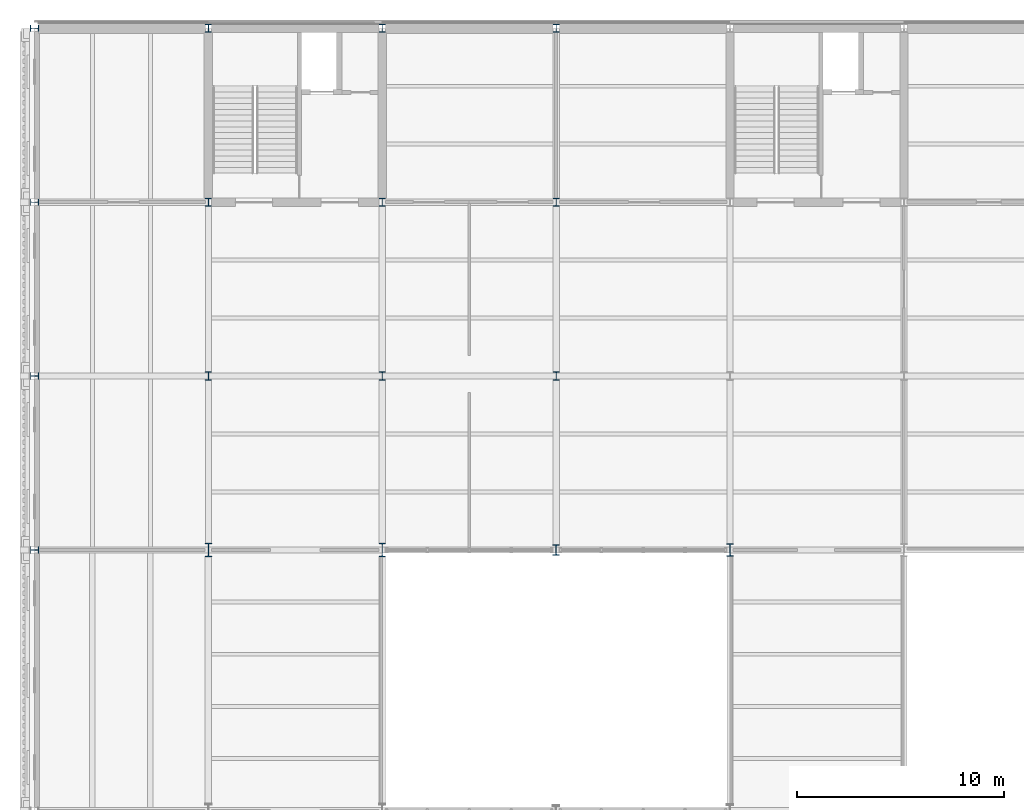
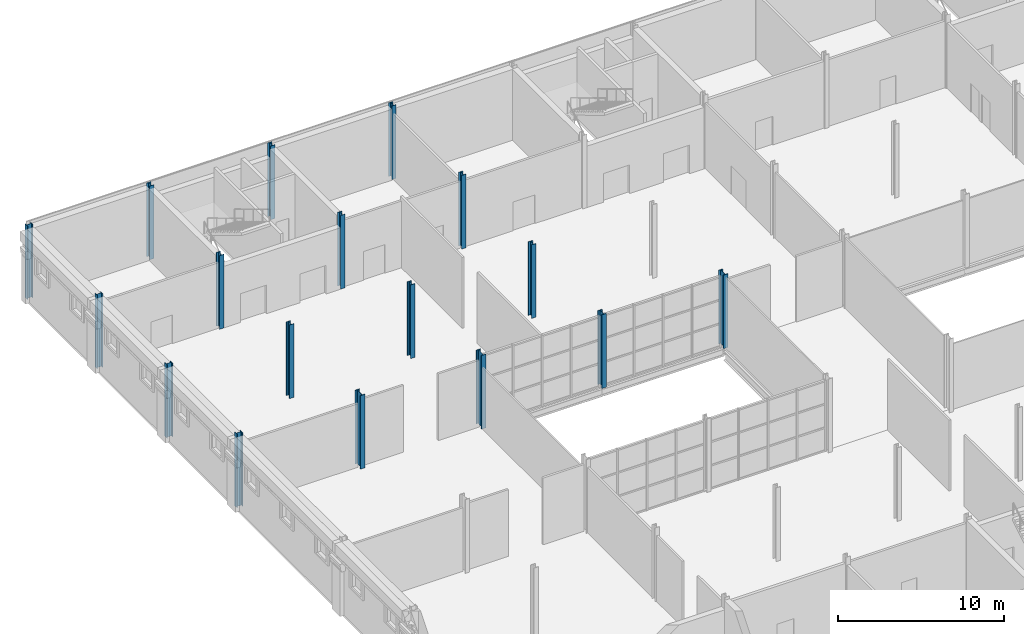
# One storey, part 3 of 57: 17 columns.
"""IFC4 building model written with IfcOpenShell, lengths in metres."""

from ifc_helpers import new_model, si_unit, direction, frame, origin, origin_2d, place, context, subcontext, project, spatial, i_section, extrude, material, material_profile, profile_set, type_object, element, save


model = new_model("IFC4")

# Units and contexts
model_context = context("Model", 3, precision=1e-05, world=origin(), true_north=direction((0.0, 1.0)))
body_context = subcontext(model_context, "Body", "Model", "MODEL_VIEW")
ifc_project = project(units=[si_unit("LENGTHUNIT", "METRE"), si_unit("AREAUNIT", "SQUARE_METRE"), si_unit("VOLUMEUNIT", "CUBIC_METRE"), si_unit("PLANEANGLEUNIT", "RADIAN"), si_unit("MASSUNIT", "GRAM", prefix="KILO")], contexts=[model_context])

# Site, building, storey
site_placement = place(None, origin())
site = spatial("IfcSite", under=ifc_project, at=site_placement, CompositionType="ELEMENT")
building_placement = place(site_placement, origin())
building = spatial("IfcBuilding", under=site, at=building_placement, Name="Galleria Vessillo Department Store", CompositionType="ELEMENT")
storey_placement = place(building_placement, frame((0.0, 0.0, 25.800048828125)))
storey = spatial("IfcBuildingStorey", under=building, at=storey_placement, Name="L05", CompositionType="ELEMENT", Elevation=25.800048828125)

# Columns
ifc_material_1 = material(Name="Steel S355 J2", Category="steel")
ifc_material_profile_1 = material_profile(ifc_material_1, i_section(OverallWidth=0.300048828125, OverallDepth=0.39990234375, WebThickness=0.013427734375, FlangeThickness=0.02392578125, FilletRadius=0.027099609375, at=origin_2d()), Name="HEB 400")
ifc_profile_set_1 = profile_set([ifc_material_profile_1], Name="Steel S355 J2")
column_type_1 = type_object("IfcColumnType", Name="Steel column HEB 400 CP2", PredefinedType="COLUMN", material=ifc_profile_set_1)
for number, where, z_axis, x_axis, name in (
    (1, (0.0, 37.800048828125, 0.0), (0.0, 0.0, 1.0), (0.0, 1.0, 0.0), "S-COL-L05-1-E"),
    (2, (0.0, 46.199951171875, 0.0), (0.0, 0.0, 1.0), (0.0, 1.0, 0.0), "S-COL-L05-1-F"),
    (3, (0.0, 54.60009765625, 0.0), (0.0, 0.0, 1.0), (0.0, 1.0, 0.0), "S-COL-L05-1-G"),
    (4, (0.0, 63.0, 0.0), (0.0, 0.0, 1.0), (0.0, 1.0, 0.0), "S-COL-L05-1-H"),
    (5, (8.39990234375, 46.199951171875, 0.0), (0.0, 0.0, 1.0), (1.0, 0.0, 0.0), "S-COL-L05-2-F"),
    (6, (8.39990234375, 54.60009765625, 0.0), (0.0, 0.0, 1.0), (1.0, 0.0, 0.0), "S-COL-L05-2-G"),
    (7, (8.39990234375, 63.0, 0.0), (0.0, 0.0, 1.0), (1.0, 0.0, 0.0), "S-COL-L05-2-H"),
    (8, (16.800048828125, 46.199951171875, 0.0), (0.0, 0.0, 1.0), (1.0, 0.0, 0.0), "S-COL-L05-3-F"),
    (9, (16.800048828125, 54.60009765625, 0.0), (0.0, 0.0, 1.0), (1.0, 0.0, 0.0), "S-COL-L05-3-G"),
    (10, (16.800048828125, 63.0, 0.0), (0.0, 0.0, 1.0), (1.0, 0.0, 0.0), "S-COL-L05-3-H"),
    (11, (25.199951171875, 46.199951171875, 0.0), (0.0, 0.0, 1.0), (1.0, 0.0, 0.0), "S-COL-L05-4-F"),
    (12, (25.199951171875, 54.60009765625, 0.0), (0.0, 0.0, 1.0), (1.0, 0.0, 0.0), "S-COL-L05-4-G"),
    (13, (25.199951171875, 63.0, 0.0), (0.0, 0.0, 1.0), (1.0, 0.0, 0.0), "S-COL-L05-4-H"),
):
    element("IfcColumn", number, at=place(storey_placement, frame(where, z_axis=z_axis, x_axis=x_axis)), inside=storey, type_object=column_type_1, Name=name, PredefinedType="COLUMN", context=body_context, shape_type="SweptSolid", body=[
        extrude(i_section(OverallWidth=0.300048828125, OverallDepth=0.39990234375, WebThickness=0.013427734375, FlangeThickness=0.02392578125, FilletRadius=0.027099609375, at=origin_2d()), origin(), (0.0, 0.0, 1.0), 5.39990234375),
    ])
ifc_material_2 = material(Name="Steel S355 J2", Category="steel")
ifc_material_profile_2 = material_profile(ifc_material_2, i_section(OverallWidth=0.305908203125, OverallDepth=0.52392578125, WebThickness=0.02099609375, FlangeThickness=0.0400390625, FilletRadius=0.027099609375, at=origin_2d()), Name="HEM 500")
ifc_profile_set_2 = profile_set([ifc_material_profile_2], Name="Steel S355 J2")
column_type_2 = type_object("IfcColumnType", Name="Steel column HEM 500 CV1", PredefinedType="COLUMN", material=ifc_profile_set_2)
column_1_placement = place(storey_placement, frame((25.199951171875, 37.800048828125, 0.0), z_axis=(0.0, 0.0, 1.0), x_axis=(1.0, 0.0, 0.0)))
element("IfcColumn", 14, at=column_1_placement, inside=storey, type_object=column_type_2, Name="S-COL-L05-4-E", PredefinedType="COLUMN", context=body_context, shape_type="SweptSolid", body=[
    extrude(i_section(OverallWidth=0.305908203125, OverallDepth=0.52392578125, WebThickness=0.02099609375, FlangeThickness=0.0400390625, FilletRadius=0.027099609375, at=origin_2d()), origin(), (0.0, 0.0, 1.0), 5.39990234375),
])
ifc_material_3 = material(Name="Steel S355 J2", Category="steel")
ifc_material_profile_3 = material_profile(ifc_material_3, i_section(OverallWidth=0.304931640625, OverallDepth=0.6201171875, WebThickness=0.02099609375, FlangeThickness=0.0400390625, FilletRadius=0.027099609375, at=origin_2d()), Name="HEM 600")
ifc_profile_set_3 = profile_set([ifc_material_profile_3], Name="Steel S355 J2")
column_type_3 = type_object("IfcColumnType", Name="Steel column HEM 600 CV2", PredefinedType="COLUMN", material=ifc_profile_set_3)
column_2_placement = place(storey_placement, frame((33.60009765625, 37.800048828125, 0.0), z_axis=(0.0, 0.0, 1.0), x_axis=(1.0, 0.0, 0.0)))
element("IfcColumn", 15, at=column_2_placement, inside=storey, type_object=column_type_3, Name="S-COL-L05-5-E", PredefinedType="COLUMN", context=body_context, shape_type="SweptSolid", body=[
    extrude(i_section(OverallWidth=0.304931640625, OverallDepth=0.6201171875, WebThickness=0.02099609375, FlangeThickness=0.0400390625, FilletRadius=0.027099609375, at=origin_2d()), origin(), (0.0, 0.0, 1.0), 5.39990234375),
])
ifc_material_4 = material(Name="Steel S355 J2", Category="steel")
ifc_material_profile_4 = material_profile(ifc_material_4, i_section(OverallWidth=0.304931640625, OverallDepth=0.66796875, WebThickness=0.02099609375, FlangeThickness=0.0400390625, FilletRadius=0.027099609375, at=origin_2d()), Name="HEM 650")
ifc_profile_set_4 = profile_set([ifc_material_profile_4], Name="Steel S355 J2")
column_type_4 = type_object("IfcColumnType", Name="Steel column HEM 650 CV3", PredefinedType="COLUMN", material=ifc_profile_set_4)
for number, where, z_axis, x_axis, name in (
    (16, (8.39990234375, 37.800048828125, 0.0), (0.0, 0.0, 1.0), (1.0, 0.0, 0.0), "S-COL-L05-2-E"),
    (17, (16.800048828125, 37.800048828125, 0.0), (0.0, 0.0, 1.0), (1.0, 0.0, 0.0), "S-COL-L05-3-E"),
):
    element("IfcColumn", number, at=place(storey_placement, frame(where, z_axis=z_axis, x_axis=x_axis)), inside=storey, type_object=column_type_4, Name=name, PredefinedType="COLUMN", context=body_context, shape_type="SweptSolid", body=[
        extrude(i_section(OverallWidth=0.304931640625, OverallDepth=0.66796875, WebThickness=0.02099609375, FlangeThickness=0.0400390625, FilletRadius=0.027099609375, at=origin_2d()), origin(), (0.0, 0.0, 1.0), 5.39990234375),
    ])

save(model, "model.ifc")
